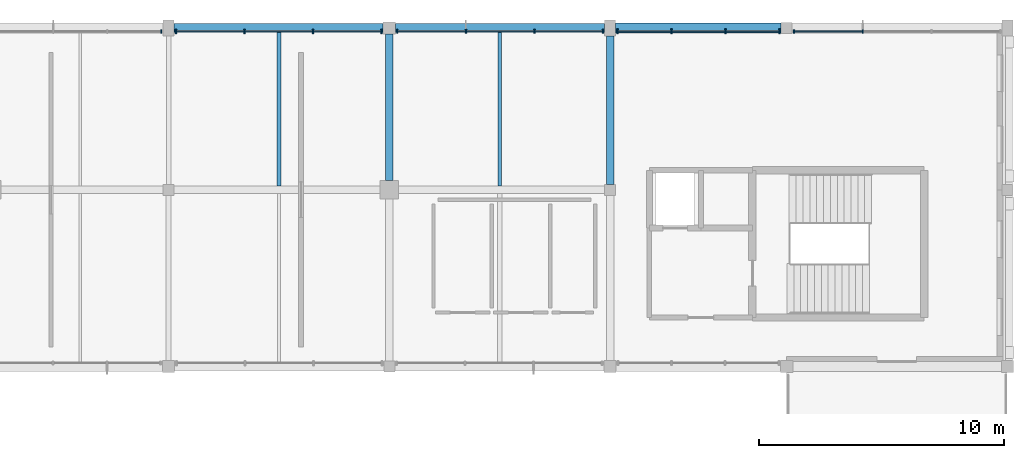
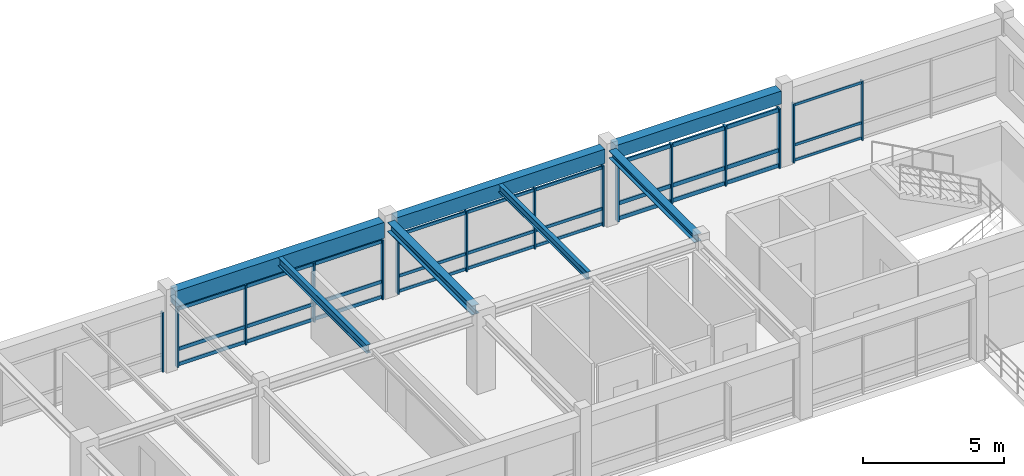
# One storey, part 27 of 74: 45 members, 7 beams, 5 elements without a shape of their own.
"""IFC4 building model written with IfcOpenShell, lengths in metres."""

from ifc_helpers import new_model, si_unit, direction, frame, origin, origin_2d, place, context, subcontext, project, spatial, rectangle, i_section, extrude, material, material_profile, profile_set, type_object, element, aggregate, save


model = new_model("IFC4")

# Units and contexts
model_context = context("Model", 3, precision=1e-05, world=origin(), true_north=direction((0.0, 1.0)))
body_context = subcontext(model_context, "Body", "Model", "MODEL_VIEW")
ifc_project = project(units=[si_unit("LENGTHUNIT", "METRE"), si_unit("AREAUNIT", "SQUARE_METRE"), si_unit("VOLUMEUNIT", "CUBIC_METRE"), si_unit("PLANEANGLEUNIT", "RADIAN"), si_unit("MASSUNIT", "GRAM", prefix="KILO")], contexts=[model_context])

# Site, building, storey
site_placement = place(None, origin())
site = spatial("IfcSite", under=ifc_project, at=site_placement, CompositionType="ELEMENT")
building_placement = place(site_placement, origin())
building = spatial("IfcBuilding", under=site, at=building_placement, Name="Clarverna Civic Hall", CompositionType="ELEMENT")
storey_placement = place(building_placement, frame((0.0, 0.0, 13.199951171875)))
storey = spatial("IfcBuildingStorey", under=building, at=storey_placement, Name="L03", CompositionType="ELEMENT", Elevation=13.199951171875)

# Beams
ifc_material_1 = material(Name="Concrete C35/45", Category="concrete")
ifc_material_profile_1 = material_profile(ifc_material_1, rectangle(XDim=0.3798828125, YDim=0.679931640625, at=origin_2d()), Name="RC 380x680")
ifc_profile_set_1 = profile_set([ifc_material_profile_1], Name="Concrete C35/45")
beam_type_1 = type_object("IfcBeamType", Name="B-SP2", PredefinedType="SPANDREL", material=ifc_profile_set_1)
beam_1_placement = place(storey_placement, frame((32.625, 116.0, 2.9599609375), z_axis=(1.0, 0.0, 0.0), x_axis=(0.0, 1.0, 0.0)))
element("IfcBeam", 1, at=beam_1_placement, inside=storey, type_object=beam_type_1, Name="B-SP2-120", PredefinedType="SPANDREL", context=body_context, shape_type="SweptSolid", body=[
    extrude(rectangle(XDim=0.3798828125, YDim=0.679931640625, at=origin_2d()), origin(), (0.0, 0.0, 1.0), 8.52490234375),
])
ifc_material_profile_2 = material_profile(ifc_material_1, rectangle(XDim=0.360107421875, YDim=0.6201171875, at=origin_2d()), Name="RC 360x620")
ifc_profile_set_2 = profile_set([ifc_material_profile_2], Name="Concrete C35/45")
beam_type_2 = type_object("IfcBeamType", Name="B-SP3", PredefinedType="SPANDREL", material=ifc_profile_set_2)
beam_2_placement = place(storey_placement, frame((41.64990234375, 116.0, 2.989990234375), z_axis=(1.0, 0.0, 0.0), x_axis=(0.0, 1.0, 0.0)))
element("IfcBeam", 2, at=beam_2_placement, inside=storey, type_object=beam_type_2, Name="B-SP3-117", PredefinedType="SPANDREL", context=body_context, shape_type="SweptSolid", body=[
    extrude(rectangle(XDim=0.360107421875, YDim=0.6201171875, at=origin_2d()), origin(), (0.0, 0.0, 1.0), 8.525146484375),
])
ifc_material_profile_3 = material_profile(ifc_material_1, rectangle(XDim=0.39990234375, YDim=0.56005859375, at=origin_2d()), Name="RC 400x560")
ifc_profile_set_3 = profile_set([ifc_material_profile_3], Name="Concrete C35/45")
beam_type_3 = type_object("IfcBeamType", Name="B-SP4", PredefinedType="SPANDREL", material=ifc_profile_set_3)
beam_3_placement = place(storey_placement, frame((50.625, 116.0, 3.02001953125), z_axis=(1.0, 0.0, 0.0), x_axis=(0.0, 1.0, 0.0)))
element("IfcBeam", 3, at=beam_3_placement, inside=storey, type_object=beam_type_3, Name="B-SP4-117", PredefinedType="SPANDREL", context=body_context, shape_type="SweptSolid", body=[
    extrude(rectangle(XDim=0.39990234375, YDim=0.56005859375, at=origin_2d()), origin(), (0.0, 0.0, 1.0), 6.75),
])
ifc_material_2 = material(Name="Steel S355", Category="steel")
ifc_material_profile_4 = material_profile(ifc_material_2, i_section(OverallWidth=0.300048828125, OverallDepth=0.39990234375, WebThickness=0.013427734375, FlangeThickness=0.02392578125, FilletRadius=0.027099609375, at=origin_2d()), Name="HEB 400")
ifc_profile_set_4 = profile_set([ifc_material_profile_4], Name="Steel S355")
beam_type_4 = type_object("IfcBeamType", Name="B-ST4", PredefinedType="BEAM", material=ifc_profile_set_4)
beam_4_placement = place(storey_placement, frame((41.39990234375, 109.77490234375, 3.10009765625), z_axis=(0.0, 1.0, 0.0), x_axis=(-1.0, 0.0, 0.0)))
element("IfcBeam", 4, at=beam_4_placement, inside=storey, type_object=beam_type_4, Name="B-ST4-013", PredefinedType="BEAM", context=body_context, shape_type="SweptSolid", body=[
    extrude(i_section(OverallWidth=0.300048828125, OverallDepth=0.39990234375, WebThickness=0.013427734375, FlangeThickness=0.02392578125, FilletRadius=0.027099609375, at=origin_2d()), origin(), (0.0, 0.0, 1.0), 5.97509765625),
])
ifc_material_profile_5 = material_profile(ifc_material_2, i_section(OverallWidth=0.300048828125, OverallDepth=0.330078125, WebThickness=0.009521484375, FlangeThickness=0.0166015625, FilletRadius=0.027099609375, at=origin_2d()), Name="HEA 340")
ifc_profile_set_5 = profile_set([ifc_material_profile_5], Name="Steel S355")
beam_type_5 = type_object("IfcBeamType", Name="B-ST8", PredefinedType="BEAM", material=ifc_profile_set_5)
beam_5_placement = place(storey_placement, frame((50.39990234375, 109.625, 3.135009765625), z_axis=(0.0, 1.0, 0.0), x_axis=(-1.0, 0.0, 0.0)))
element("IfcBeam", 5, at=beam_5_placement, inside=storey, type_object=beam_type_5, Name="B-ST8-087", PredefinedType="BEAM", context=body_context, shape_type="SweptSolid", body=[
    extrude(i_section(OverallWidth=0.300048828125, OverallDepth=0.330078125, WebThickness=0.009521484375, FlangeThickness=0.0166015625, FilletRadius=0.027099609375, at=origin_2d()), origin(), (0.0, 0.0, 1.0), 6.050048828125),
])

# Curtain wall, members
ifc_material_3 = material(Name="Anodised Bronze Architectural Aluminium", Category="aluminium")
curtain_wall_type = type_object("IfcCurtainWallType", Name="CW-05", PredefinedType="USERDEFINED", material=ifc_material_3)
curtain_wall_1_placement = place(storey_placement, origin())
curtain_wall_1 = element("IfcCurtainWall", 6, at=curtain_wall_1_placement, inside=storey, type_object=curtain_wall_type, Name="CW-05-005", ObjectType="UNITISED CURTAIN WALL", PredefinedType="USERDEFINED")
ifc_material_profile_6 = material_profile(ifc_material_3, rectangle(XDim=0.06005859375, YDim=0.179931640625, at=origin_2d()), Name="BRONZE 60x180")
ifc_profile_set_6 = profile_set([ifc_material_profile_6], Name="Anodised Bronze Architectural Aluminium")
member_type_1 = type_object("IfcMemberType", Name="CWM-01", PredefinedType="MULLION", material=ifc_profile_set_6)
member_1_placement = place(storey_placement, frame((32.697998046875, 115.860107421875, 0.0), z_axis=(0.0, 0.0, 1.0), x_axis=(1.0, 0.0, 0.0)))
member_1 = element("IfcMember", 7, at=member_1_placement, type_object=member_type_1, Name="CWM-01-132", PredefinedType="MULLION", context=body_context, shape_type="SweptSolid", body=[
    extrude(rectangle(XDim=0.06005859375, YDim=0.179931640625, at=origin_2d()), origin(), (0.0, 0.0, 1.0), 2.580078125),
])
member_2_placement = place(storey_placement, frame((35.490966796875, 115.860107421875, 0.0), z_axis=(0.0, 0.0, 1.0), x_axis=(1.0, 0.0, 0.0)))
member_2 = element("IfcMember", 8, at=member_2_placement, type_object=member_type_1, Name="CWM-01-133", PredefinedType="MULLION", context=body_context, shape_type="SweptSolid", body=[
    extrude(rectangle(XDim=0.06005859375, YDim=0.179931640625, at=origin_2d()), origin(), (0.0, 0.0, 1.0), 2.580078125),
])
member_3_placement = place(storey_placement, frame((38.283935546875, 115.860107421875, 0.0), z_axis=(0.0, 0.0, 1.0), x_axis=(1.0, 0.0, 0.0)))
member_3 = element("IfcMember", 9, at=member_3_placement, type_object=member_type_1, Name="CWM-01-134", PredefinedType="MULLION", context=body_context, shape_type="SweptSolid", body=[
    extrude(rectangle(XDim=0.06005859375, YDim=0.179931640625, at=origin_2d()), origin(), (0.0, 0.0, 1.0), 2.580078125),
])
member_4_placement = place(storey_placement, frame((41.076904296875, 115.860107421875, 0.0), z_axis=(0.0, 0.0, 1.0), x_axis=(1.0, 0.0, 0.0)))
member_4 = element("IfcMember", 10, at=member_4_placement, type_object=member_type_1, Name="CWM-01-135", PredefinedType="MULLION", context=body_context, shape_type="SweptSolid", body=[
    extrude(rectangle(XDim=0.06005859375, YDim=0.179931640625, at=origin_2d()), origin(), (0.0, 0.0, 1.0), 2.580078125),
])

curtain_wall_2_placement = place(storey_placement, origin())
curtain_wall_2 = element("IfcCurtainWall", 11, at=curtain_wall_2_placement, inside=storey, type_object=curtain_wall_type, Name="CW-05-006", ObjectType="UNITISED CURTAIN WALL", PredefinedType="USERDEFINED")
ifc_material_profile_7 = material_profile(ifc_material_3, rectangle(XDim=0.06005859375, YDim=0.159912109375, at=origin_2d()), Name="BRONZE 60x160")
ifc_profile_set_7 = profile_set([ifc_material_profile_7], Name="Anodised Bronze Architectural Aluminium")
member_type_2 = type_object("IfcMemberType", Name="CWM-02", PredefinedType="MULLION", material=ifc_profile_set_7)
member_5_placement = place(storey_placement, frame((41.722900390625, 115.860107421875, 0.0), z_axis=(0.0, 0.0, 1.0), x_axis=(1.0, 0.0, 0.0)))
member_5 = element("IfcMember", 12, at=member_5_placement, type_object=member_type_2, Name="CWM-02-172", PredefinedType="MULLION", context=body_context, shape_type="SweptSolid", body=[
    extrude(rectangle(XDim=0.06005859375, YDim=0.159912109375, at=origin_2d()), origin(), (0.0, 0.0, 1.0), 2.6201171875),
])
member_6_placement = place(storey_placement, frame((44.51611328125, 115.860107421875, 0.0), z_axis=(0.0, 0.0, 1.0), x_axis=(1.0, 0.0, 0.0)))
member_6 = element("IfcMember", 13, at=member_6_placement, type_object=member_type_2, Name="CWM-02-173", PredefinedType="MULLION", context=body_context, shape_type="SweptSolid", body=[
    extrude(rectangle(XDim=0.06005859375, YDim=0.159912109375, at=origin_2d()), origin(), (0.0, 0.0, 1.0), 2.6201171875),
])
member_7_placement = place(storey_placement, frame((47.30908203125, 115.860107421875, 0.0), z_axis=(0.0, 0.0, 1.0), x_axis=(1.0, 0.0, 0.0)))
member_7 = element("IfcMember", 14, at=member_7_placement, type_object=member_type_2, Name="CWM-02-174", PredefinedType="MULLION", context=body_context, shape_type="SweptSolid", body=[
    extrude(rectangle(XDim=0.06005859375, YDim=0.159912109375, at=origin_2d()), origin(), (0.0, 0.0, 1.0), 2.6201171875),
])
member_8_placement = place(storey_placement, frame((50.10205078125, 115.860107421875, 0.0), z_axis=(0.0, 0.0, 1.0), x_axis=(1.0, 0.0, 0.0)))
member_8 = element("IfcMember", 15, at=member_8_placement, type_object=member_type_2, Name="CWM-02-175", PredefinedType="MULLION", context=body_context, shape_type="SweptSolid", body=[
    extrude(rectangle(XDim=0.06005859375, YDim=0.159912109375, at=origin_2d()), origin(), (0.0, 0.0, 1.0), 2.6201171875),
])

curtain_wall_3_placement = place(storey_placement, origin())
curtain_wall_3 = element("IfcCurtainWall", 16, at=curtain_wall_3_placement, inside=storey, type_object=curtain_wall_type, Name="CW-05-007", ObjectType="UNITISED CURTAIN WALL", PredefinedType="USERDEFINED")
ifc_material_profile_8 = material_profile(ifc_material_3, rectangle(XDim=0.06494140625, YDim=0.199951171875, at=origin_2d()), Name="BRONZE 65x200")
ifc_profile_set_8 = profile_set([ifc_material_profile_8], Name="Anodised Bronze Architectural Aluminium")
member_type_3 = type_object("IfcMemberType", Name="CWM-03", PredefinedType="MULLION", material=ifc_profile_set_8)
member_9_placement = place(storey_placement, frame((50.697998046875, 115.860107421875, 0.0), z_axis=(0.0, 0.0, 1.0), x_axis=(1.0, 0.0, 0.0)))
member_9 = element("IfcMember", 17, at=member_9_placement, type_object=member_type_3, Name="CWM-03-135", PredefinedType="MULLION", context=body_context, shape_type="SweptSolid", body=[
    extrude(rectangle(XDim=0.06494140625, YDim=0.199951171875, at=origin_2d()), origin(), (0.0, 0.0, 1.0), 2.580078125),
])
member_10_placement = place(storey_placement, frame((52.8994140625, 115.860107421875, 0.0), z_axis=(0.0, 0.0, 1.0), x_axis=(1.0, 0.0, 0.0)))
member_10 = element("IfcMember", 18, at=member_10_placement, type_object=member_type_3, Name="CWM-03-136", PredefinedType="MULLION", context=body_context, shape_type="SweptSolid", body=[
    extrude(rectangle(XDim=0.06494140625, YDim=0.199951171875, at=origin_2d()), origin(), (0.0, 0.0, 1.0), 2.580078125),
])
member_11_placement = place(storey_placement, frame((55.1005859375, 115.860107421875, 0.0), z_axis=(0.0, 0.0, 1.0), x_axis=(1.0, 0.0, 0.0)))
member_11 = element("IfcMember", 19, at=member_11_placement, type_object=member_type_3, Name="CWM-03-137", PredefinedType="MULLION", context=body_context, shape_type="SweptSolid", body=[
    extrude(rectangle(XDim=0.06494140625, YDim=0.199951171875, at=origin_2d()), origin(), (0.0, 0.0, 1.0), 2.580078125),
])
member_12_placement = place(storey_placement, frame((57.302001953125, 115.860107421875, 0.0), z_axis=(0.0, 0.0, 1.0), x_axis=(1.0, 0.0, 0.0)))
member_12 = element("IfcMember", 20, at=member_12_placement, type_object=member_type_3, Name="CWM-03-138", PredefinedType="MULLION", context=body_context, shape_type="SweptSolid", body=[
    extrude(rectangle(XDim=0.06494140625, YDim=0.199951171875, at=origin_2d()), origin(), (0.0, 0.0, 1.0), 2.580078125),
])

# Curtain wall, member
curtain_wall_4_placement = place(storey_placement, origin())
curtain_wall_4 = element("IfcCurtainWall", 21, at=curtain_wall_4_placement, inside=storey, type_object=curtain_wall_type, Name="CW-05-004", ObjectType="UNITISED CURTAIN WALL", PredefinedType="USERDEFINED")
ifc_material_profile_9 = material_profile(ifc_material_3, rectangle(XDim=0.054931640625, YDim=0.139892578125, at=origin_2d()), Name="BRONZE 55x140")
ifc_profile_set_9 = profile_set([ifc_material_profile_9], Name="Anodised Bronze Architectural Aluminium")
member_type_4 = type_object("IfcMemberType", Name="CWM-04", PredefinedType="MULLION", material=ifc_profile_set_9)
member_13_placement = place(storey_placement, frame((32.10205078125, 115.860107421875, 0.0), z_axis=(0.0, 0.0, 1.0), x_axis=(1.0, 0.0, 0.0)))
member_13 = element("IfcMember", 22, at=member_13_placement, type_object=member_type_4, Name="CWM-04-175", PredefinedType="MULLION", context=body_context, shape_type="SweptSolid", body=[
    extrude(rectangle(XDim=0.054931640625, YDim=0.139892578125, at=origin_2d()), origin(), (0.0, 0.0, 1.0), 2.580078125),
])
aggregate(curtain_wall_4, [member_13])

# Curtain wall, members
curtain_wall_5_placement = place(storey_placement, origin())
curtain_wall_5 = element("IfcCurtainWall", 23, at=curtain_wall_5_placement, inside=storey, type_object=curtain_wall_type, Name="CW-05-008", ObjectType="UNITISED CURTAIN WALL", PredefinedType="USERDEFINED")
member_14_placement = place(storey_placement, frame((57.89794921875, 115.860107421875, 0.0), z_axis=(0.0, 0.0, 1.0), x_axis=(1.0, 0.0, 0.0)))
member_14 = element("IfcMember", 24, at=member_14_placement, type_object=member_type_4, Name="CWM-04-176", PredefinedType="MULLION", context=body_context, shape_type="SweptSolid", body=[
    extrude(rectangle(XDim=0.054931640625, YDim=0.139892578125, at=origin_2d()), origin(), (0.0, 0.0, 1.0), 2.580078125),
])
member_15_placement = place(storey_placement, frame((60.69921875, 115.860107421875, 0.0), z_axis=(0.0, 0.0, 1.0), x_axis=(1.0, 0.0, 0.0)))
member_15 = element("IfcMember", 25, at=member_15_placement, type_object=member_type_4, Name="CWM-04-177", PredefinedType="MULLION", context=body_context, shape_type="SweptSolid", body=[
    extrude(rectangle(XDim=0.054931640625, YDim=0.139892578125, at=origin_2d()), origin(), (0.0, 0.0, 1.0), 2.580078125),
])

# Member
ifc_material_profile_10 = material_profile(ifc_material_3, rectangle(XDim=0.06005859375, YDim=0.14990234375, at=origin_2d()), Name="BRONZE 60x150")
ifc_profile_set_10 = profile_set([ifc_material_profile_10], Name="Anodised Bronze Architectural Aluminium")
member_type_5 = type_object("IfcMemberType", Name="CWT-01", PredefinedType="USERDEFINED", material=ifc_profile_set_10)
member_16_placement = place(storey_placement, frame((32.712890625, 115.860107421875, 0.094970703125), z_axis=(1.0, 0.0, 0.0), x_axis=(0.0, 1.0, 0.0)))
member_16 = element("IfcMember", 26, at=member_16_placement, type_object=member_type_5, Name="CWT-01-280", ObjectType="TRANSOM", PredefinedType="USERDEFINED", context=body_context, shape_type="SweptSolid", body=[
    extrude(rectangle(XDim=0.06005859375, YDim=0.14990234375, at=origin_2d()), origin(), (0.0, 0.0, 1.0), 2.76318359375),
])

member_17_placement = place(storey_placement, frame((32.712890625, 115.860107421875, 0.75), z_axis=(1.0, 0.0, 0.0), x_axis=(0.0, 1.0, 0.0)))
member_17 = element("IfcMember", 27, at=member_17_placement, type_object=member_type_5, Name="CWT-01-281", ObjectType="TRANSOM", PredefinedType="USERDEFINED", context=body_context, shape_type="SweptSolid", body=[
    extrude(rectangle(XDim=0.06005859375, YDim=0.14990234375, at=origin_2d()), origin(), (0.0, 0.0, 1.0), 2.76318359375),
])

member_18_placement = place(storey_placement, frame((32.712890625, 115.860107421875, 2.485107421875), z_axis=(1.0, 0.0, 0.0), x_axis=(0.0, 1.0, 0.0)))
member_18 = element("IfcMember", 28, at=member_18_placement, type_object=member_type_5, Name="CWT-01-282", ObjectType="TRANSOM", PredefinedType="USERDEFINED", context=body_context, shape_type="SweptSolid", body=[
    extrude(rectangle(XDim=0.06005859375, YDim=0.14990234375, at=origin_2d()), origin(), (0.0, 0.0, 1.0), 2.76318359375),
])

member_19_placement = place(storey_placement, frame((35.506103515625, 115.860107421875, 0.094970703125), z_axis=(1.0, 0.0, 0.0), x_axis=(0.0, 1.0, 0.0)))
member_19 = element("IfcMember", 29, at=member_19_placement, type_object=member_type_5, Name="CWT-01-283", ObjectType="TRANSOM", PredefinedType="USERDEFINED", context=body_context, shape_type="SweptSolid", body=[
    extrude(rectangle(XDim=0.06005859375, YDim=0.14990234375, at=origin_2d()), origin(), (0.0, 0.0, 1.0), 2.762939453125),
])

member_20_placement = place(storey_placement, frame((35.506103515625, 115.860107421875, 0.75), z_axis=(1.0, 0.0, 0.0), x_axis=(0.0, 1.0, 0.0)))
member_20 = element("IfcMember", 30, at=member_20_placement, type_object=member_type_5, Name="CWT-01-284", ObjectType="TRANSOM", PredefinedType="USERDEFINED", context=body_context, shape_type="SweptSolid", body=[
    extrude(rectangle(XDim=0.06005859375, YDim=0.14990234375, at=origin_2d()), origin(), (0.0, 0.0, 1.0), 2.762939453125),
])

member_21_placement = place(storey_placement, frame((35.506103515625, 115.860107421875, 2.485107421875), z_axis=(1.0, 0.0, 0.0), x_axis=(0.0, 1.0, 0.0)))
member_21 = element("IfcMember", 31, at=member_21_placement, type_object=member_type_5, Name="CWT-01-285", ObjectType="TRANSOM", PredefinedType="USERDEFINED", context=body_context, shape_type="SweptSolid", body=[
    extrude(rectangle(XDim=0.06005859375, YDim=0.14990234375, at=origin_2d()), origin(), (0.0, 0.0, 1.0), 2.762939453125),
])

member_22_placement = place(storey_placement, frame((38.299072265625, 115.860107421875, 0.094970703125), z_axis=(1.0, 0.0, 0.0), x_axis=(0.0, 1.0, 0.0)))
member_22 = element("IfcMember", 32, at=member_22_placement, type_object=member_type_5, Name="CWT-01-286", ObjectType="TRANSOM", PredefinedType="USERDEFINED", context=body_context, shape_type="SweptSolid", body=[
    extrude(rectangle(XDim=0.06005859375, YDim=0.14990234375, at=origin_2d()), origin(), (0.0, 0.0, 1.0), 2.762939453125),
])

member_23_placement = place(storey_placement, frame((38.299072265625, 115.860107421875, 0.75), z_axis=(1.0, 0.0, 0.0), x_axis=(0.0, 1.0, 0.0)))
member_23 = element("IfcMember", 33, at=member_23_placement, type_object=member_type_5, Name="CWT-01-287", ObjectType="TRANSOM", PredefinedType="USERDEFINED", context=body_context, shape_type="SweptSolid", body=[
    extrude(rectangle(XDim=0.06005859375, YDim=0.14990234375, at=origin_2d()), origin(), (0.0, 0.0, 1.0), 2.762939453125),
])

member_24_placement = place(storey_placement, frame((38.299072265625, 115.860107421875, 2.485107421875), z_axis=(1.0, 0.0, 0.0), x_axis=(0.0, 1.0, 0.0)))
member_24 = element("IfcMember", 34, at=member_24_placement, type_object=member_type_5, Name="CWT-01-288", ObjectType="TRANSOM", PredefinedType="USERDEFINED", context=body_context, shape_type="SweptSolid", body=[
    extrude(rectangle(XDim=0.06005859375, YDim=0.14990234375, at=origin_2d()), origin(), (0.0, 0.0, 1.0), 2.762939453125),
])

aggregate(curtain_wall_1, [member_1, member_2, member_3, member_4, member_16, member_17, member_18, member_19, member_20, member_21, member_22, member_23, member_24])

ifc_material_profile_11 = material_profile(ifc_material_3, rectangle(XDim=0.06005859375, YDim=0.1298828125, at=origin_2d()), Name="BRONZE 60x130")
ifc_profile_set_11 = profile_set([ifc_material_profile_11], Name="Anodised Bronze Architectural Aluminium")
member_type_6 = type_object("IfcMemberType", Name="CWT-02", PredefinedType="USERDEFINED", material=ifc_profile_set_11)
member_25_placement = place(storey_placement, frame((41.738037109375, 115.860107421875, 0.094970703125), z_axis=(1.0, 0.0, 0.0), x_axis=(0.0, 1.0, 0.0)))
member_25 = element("IfcMember", 35, at=member_25_placement, type_object=member_type_6, Name="CWT-02-361", ObjectType="TRANSOM", PredefinedType="USERDEFINED", context=body_context, shape_type="SweptSolid", body=[
    extrude(rectangle(XDim=0.06005859375, YDim=0.1298828125, at=origin_2d()), origin(), (0.0, 0.0, 1.0), 2.762939453125),
])

member_26_placement = place(storey_placement, frame((41.738037109375, 115.860107421875, 0.75), z_axis=(1.0, 0.0, 0.0), x_axis=(0.0, 1.0, 0.0)))
member_26 = element("IfcMember", 36, at=member_26_placement, type_object=member_type_6, Name="CWT-02-362", ObjectType="TRANSOM", PredefinedType="USERDEFINED", context=body_context, shape_type="SweptSolid", body=[
    extrude(rectangle(XDim=0.06005859375, YDim=0.1298828125, at=origin_2d()), origin(), (0.0, 0.0, 1.0), 2.762939453125),
])

member_27_placement = place(storey_placement, frame((41.738037109375, 115.860107421875, 2.525146484375), z_axis=(1.0, 0.0, 0.0), x_axis=(0.0, 1.0, 0.0)))
member_27 = element("IfcMember", 37, at=member_27_placement, type_object=member_type_6, Name="CWT-02-363", ObjectType="TRANSOM", PredefinedType="USERDEFINED", context=body_context, shape_type="SweptSolid", body=[
    extrude(rectangle(XDim=0.06005859375, YDim=0.1298828125, at=origin_2d()), origin(), (0.0, 0.0, 1.0), 2.762939453125),
])

member_28_placement = place(storey_placement, frame((44.531005859375, 115.860107421875, 0.094970703125), z_axis=(1.0, 0.0, 0.0), x_axis=(0.0, 1.0, 0.0)))
member_28 = element("IfcMember", 38, at=member_28_placement, type_object=member_type_6, Name="CWT-02-364", ObjectType="TRANSOM", PredefinedType="USERDEFINED", context=body_context, shape_type="SweptSolid", body=[
    extrude(rectangle(XDim=0.06005859375, YDim=0.1298828125, at=origin_2d()), origin(), (0.0, 0.0, 1.0), 2.762939453125),
])

member_29_placement = place(storey_placement, frame((44.531005859375, 115.860107421875, 0.75), z_axis=(1.0, 0.0, 0.0), x_axis=(0.0, 1.0, 0.0)))
member_29 = element("IfcMember", 39, at=member_29_placement, type_object=member_type_6, Name="CWT-02-365", ObjectType="TRANSOM", PredefinedType="USERDEFINED", context=body_context, shape_type="SweptSolid", body=[
    extrude(rectangle(XDim=0.06005859375, YDim=0.1298828125, at=origin_2d()), origin(), (0.0, 0.0, 1.0), 2.762939453125),
])

member_30_placement = place(storey_placement, frame((44.531005859375, 115.860107421875, 2.525146484375), z_axis=(1.0, 0.0, 0.0), x_axis=(0.0, 1.0, 0.0)))
member_30 = element("IfcMember", 40, at=member_30_placement, type_object=member_type_6, Name="CWT-02-366", ObjectType="TRANSOM", PredefinedType="USERDEFINED", context=body_context, shape_type="SweptSolid", body=[
    extrude(rectangle(XDim=0.06005859375, YDim=0.1298828125, at=origin_2d()), origin(), (0.0, 0.0, 1.0), 2.762939453125),
])

member_31_placement = place(storey_placement, frame((47.323974609375, 115.860107421875, 0.094970703125), z_axis=(1.0, 0.0, 0.0), x_axis=(0.0, 1.0, 0.0)))
member_31 = element("IfcMember", 41, at=member_31_placement, type_object=member_type_6, Name="CWT-02-367", ObjectType="TRANSOM", PredefinedType="USERDEFINED", context=body_context, shape_type="SweptSolid", body=[
    extrude(rectangle(XDim=0.06005859375, YDim=0.1298828125, at=origin_2d()), origin(), (0.0, 0.0, 1.0), 2.762939453125),
])

member_32_placement = place(storey_placement, frame((47.323974609375, 115.860107421875, 0.75), z_axis=(1.0, 0.0, 0.0), x_axis=(0.0, 1.0, 0.0)))
member_32 = element("IfcMember", 42, at=member_32_placement, type_object=member_type_6, Name="CWT-02-368", ObjectType="TRANSOM", PredefinedType="USERDEFINED", context=body_context, shape_type="SweptSolid", body=[
    extrude(rectangle(XDim=0.06005859375, YDim=0.1298828125, at=origin_2d()), origin(), (0.0, 0.0, 1.0), 2.762939453125),
])

member_33_placement = place(storey_placement, frame((47.323974609375, 115.860107421875, 2.525146484375), z_axis=(1.0, 0.0, 0.0), x_axis=(0.0, 1.0, 0.0)))
member_33 = element("IfcMember", 43, at=member_33_placement, type_object=member_type_6, Name="CWT-02-369", ObjectType="TRANSOM", PredefinedType="USERDEFINED", context=body_context, shape_type="SweptSolid", body=[
    extrude(rectangle(XDim=0.06005859375, YDim=0.1298828125, at=origin_2d()), origin(), (0.0, 0.0, 1.0), 2.762939453125),
])

aggregate(curtain_wall_2, [member_5, member_6, member_7, member_8, member_25, member_26, member_27, member_28, member_29, member_30, member_31, member_32, member_33])

ifc_material_profile_12 = material_profile(ifc_material_3, rectangle(XDim=0.06494140625, YDim=0.169921875, at=origin_2d()), Name="BRONZE 65x170")
ifc_profile_set_12 = profile_set([ifc_material_profile_12], Name="Anodised Bronze Architectural Aluminium")
member_type_7 = type_object("IfcMemberType", Name="CWT-03", PredefinedType="USERDEFINED", material=ifc_profile_set_12)
member_34_placement = place(storey_placement, frame((50.712890625, 115.860107421875, 0.094970703125), z_axis=(1.0, 0.0, 0.0), x_axis=(0.0, 1.0, 0.0)))
member_34 = element("IfcMember", 44, at=member_34_placement, type_object=member_type_7, Name="CWT-03-286", ObjectType="TRANSOM", PredefinedType="USERDEFINED", context=body_context, shape_type="SweptSolid", body=[
    extrude(rectangle(XDim=0.06494140625, YDim=0.169921875, at=origin_2d()), origin(), (0.0, 0.0, 1.0), 2.17138671875),
])

member_35_placement = place(storey_placement, frame((50.712890625, 115.860107421875, 0.75), z_axis=(1.0, 0.0, 0.0), x_axis=(0.0, 1.0, 0.0)))
member_35 = element("IfcMember", 45, at=member_35_placement, type_object=member_type_7, Name="CWT-03-287", ObjectType="TRANSOM", PredefinedType="USERDEFINED", context=body_context, shape_type="SweptSolid", body=[
    extrude(rectangle(XDim=0.06494140625, YDim=0.169921875, at=origin_2d()), origin(), (0.0, 0.0, 1.0), 2.17138671875),
])

member_36_placement = place(storey_placement, frame((50.712890625, 115.860107421875, 2.485107421875), z_axis=(1.0, 0.0, 0.0), x_axis=(0.0, 1.0, 0.0)))
member_36 = element("IfcMember", 46, at=member_36_placement, type_object=member_type_7, Name="CWT-03-288", ObjectType="TRANSOM", PredefinedType="USERDEFINED", context=body_context, shape_type="SweptSolid", body=[
    extrude(rectangle(XDim=0.06494140625, YDim=0.169921875, at=origin_2d()), origin(), (0.0, 0.0, 1.0), 2.17138671875),
])

member_37_placement = place(storey_placement, frame((52.914306640625, 115.860107421875, 0.094970703125), z_axis=(1.0, 0.0, 0.0), x_axis=(0.0, 1.0, 0.0)))
member_37 = element("IfcMember", 47, at=member_37_placement, type_object=member_type_7, Name="CWT-03-289", ObjectType="TRANSOM", PredefinedType="USERDEFINED", context=body_context, shape_type="SweptSolid", body=[
    extrude(rectangle(XDim=0.06494140625, YDim=0.169921875, at=origin_2d()), origin(), (0.0, 0.0, 1.0), 2.17138671875),
])

member_38_placement = place(storey_placement, frame((52.914306640625, 115.860107421875, 0.75), z_axis=(1.0, 0.0, 0.0), x_axis=(0.0, 1.0, 0.0)))
member_38 = element("IfcMember", 48, at=member_38_placement, type_object=member_type_7, Name="CWT-03-290", ObjectType="TRANSOM", PredefinedType="USERDEFINED", context=body_context, shape_type="SweptSolid", body=[
    extrude(rectangle(XDim=0.06494140625, YDim=0.169921875, at=origin_2d()), origin(), (0.0, 0.0, 1.0), 2.17138671875),
])

member_39_placement = place(storey_placement, frame((52.914306640625, 115.860107421875, 2.485107421875), z_axis=(1.0, 0.0, 0.0), x_axis=(0.0, 1.0, 0.0)))
member_39 = element("IfcMember", 49, at=member_39_placement, type_object=member_type_7, Name="CWT-03-291", ObjectType="TRANSOM", PredefinedType="USERDEFINED", context=body_context, shape_type="SweptSolid", body=[
    extrude(rectangle(XDim=0.06494140625, YDim=0.169921875, at=origin_2d()), origin(), (0.0, 0.0, 1.0), 2.17138671875),
])

member_40_placement = place(storey_placement, frame((55.11572265625, 115.860107421875, 0.094970703125), z_axis=(1.0, 0.0, 0.0), x_axis=(0.0, 1.0, 0.0)))
member_40 = element("IfcMember", 50, at=member_40_placement, type_object=member_type_7, Name="CWT-03-292", ObjectType="TRANSOM", PredefinedType="USERDEFINED", context=body_context, shape_type="SweptSolid", body=[
    extrude(rectangle(XDim=0.06494140625, YDim=0.169921875, at=origin_2d()), origin(), (0.0, 0.0, 1.0), 2.17138671875),
])

member_41_placement = place(storey_placement, frame((55.11572265625, 115.860107421875, 0.75), z_axis=(1.0, 0.0, 0.0), x_axis=(0.0, 1.0, 0.0)))
member_41 = element("IfcMember", 51, at=member_41_placement, type_object=member_type_7, Name="CWT-03-293", ObjectType="TRANSOM", PredefinedType="USERDEFINED", context=body_context, shape_type="SweptSolid", body=[
    extrude(rectangle(XDim=0.06494140625, YDim=0.169921875, at=origin_2d()), origin(), (0.0, 0.0, 1.0), 2.17138671875),
])

member_42_placement = place(storey_placement, frame((55.11572265625, 115.860107421875, 2.485107421875), z_axis=(1.0, 0.0, 0.0), x_axis=(0.0, 1.0, 0.0)))
member_42 = element("IfcMember", 52, at=member_42_placement, type_object=member_type_7, Name="CWT-03-294", ObjectType="TRANSOM", PredefinedType="USERDEFINED", context=body_context, shape_type="SweptSolid", body=[
    extrude(rectangle(XDim=0.06494140625, YDim=0.169921875, at=origin_2d()), origin(), (0.0, 0.0, 1.0), 2.17138671875),
])

aggregate(curtain_wall_3, [member_9, member_10, member_11, member_12, member_34, member_35, member_36, member_37, member_38, member_39, member_40, member_41, member_42])

ifc_material_profile_13 = material_profile(ifc_material_3, rectangle(XDim=0.054931640625, YDim=0.110107421875, at=origin_2d()), Name="BRONZE 55x110")
ifc_profile_set_13 = profile_set([ifc_material_profile_13], Name="Anodised Bronze Architectural Aluminium")
member_type_8 = type_object("IfcMemberType", Name="CWT-04", PredefinedType="USERDEFINED", material=ifc_profile_set_13)
member_43_placement = place(storey_placement, frame((57.9130859375, 115.860107421875, 0.094970703125), z_axis=(1.0, 0.0, 0.0), x_axis=(0.0, 1.0, 0.0)))
member_43 = element("IfcMember", 53, at=member_43_placement, type_object=member_type_8, Name="CWT-04-370", ObjectType="TRANSOM", PredefinedType="USERDEFINED", context=body_context, shape_type="SweptSolid", body=[
    extrude(rectangle(XDim=0.054931640625, YDim=0.110107421875, at=origin_2d()), origin(), (0.0, 0.0, 1.0), 2.771240234375),
])

member_44_placement = place(storey_placement, frame((57.9130859375, 115.860107421875, 0.75), z_axis=(1.0, 0.0, 0.0), x_axis=(0.0, 1.0, 0.0)))
member_44 = element("IfcMember", 54, at=member_44_placement, type_object=member_type_8, Name="CWT-04-371", ObjectType="TRANSOM", PredefinedType="USERDEFINED", context=body_context, shape_type="SweptSolid", body=[
    extrude(rectangle(XDim=0.054931640625, YDim=0.110107421875, at=origin_2d()), origin(), (0.0, 0.0, 1.0), 2.771240234375),
])

member_45_placement = place(storey_placement, frame((57.9130859375, 115.860107421875, 2.485107421875), z_axis=(1.0, 0.0, 0.0), x_axis=(0.0, 1.0, 0.0)))
member_45 = element("IfcMember", 55, at=member_45_placement, type_object=member_type_8, Name="CWT-04-372", ObjectType="TRANSOM", PredefinedType="USERDEFINED", context=body_context, shape_type="SweptSolid", body=[
    extrude(rectangle(XDim=0.054931640625, YDim=0.110107421875, at=origin_2d()), origin(), (0.0, 0.0, 1.0), 2.771240234375),
])

aggregate(curtain_wall_5, [member_14, member_15, member_43, member_44, member_45])

# Beams
ifc_material_profile_14 = material_profile(ifc_material_2, i_section(OverallWidth=0.169921875, OverallDepth=0.360107421875, WebThickness=0.008056640625, FlangeThickness=0.0126953125, FilletRadius=0.01806640625, at=origin_2d()), Name="IPE 360")
ifc_profile_set_14 = profile_set([ifc_material_profile_14], Name="Steel S355")
beam_type_6 = type_object("IfcBeamType", Name="J-ST1", PredefinedType="JOIST", material=ifc_profile_set_14)
beam_6_placement = place(storey_placement, frame((36.89990234375, 109.550048828125, 3.1201171875), z_axis=(0.0, 1.0, 0.0), x_axis=(-1.0, 0.0, 0.0)))
element("IfcBeam", 56, at=beam_6_placement, inside=storey, type_object=beam_type_6, Name="J-ST1-066", PredefinedType="JOIST", context=body_context, shape_type="SweptSolid", body=[
    extrude(i_section(OverallWidth=0.169921875, OverallDepth=0.360107421875, WebThickness=0.008056640625, FlangeThickness=0.0126953125, FilletRadius=0.01806640625, at=origin_2d()), origin(), (0.0, 0.0, 1.0), 6.260009765625),
])
ifc_material_profile_15 = material_profile(ifc_material_2, i_section(OverallWidth=0.159912109375, OverallDepth=0.330078125, WebThickness=0.007568359375, FlangeThickness=0.011474609375, FilletRadius=0.01806640625, at=origin_2d()), Name="IPE 330")
ifc_profile_set_15 = profile_set([ifc_material_profile_15], Name="Steel S355")
beam_type_7 = type_object("IfcBeamType", Name="J-ST2", PredefinedType="JOIST", material=ifc_profile_set_15)
beam_7_placement = place(storey_placement, frame((45.89990234375, 109.550048828125, 3.135009765625), z_axis=(0.0, 1.0, 0.0), x_axis=(-1.0, 0.0, 0.0)))
element("IfcBeam", 57, at=beam_7_placement, inside=storey, type_object=beam_type_7, Name="J-ST2-067", PredefinedType="JOIST", context=body_context, shape_type="SweptSolid", body=[
    extrude(i_section(OverallWidth=0.159912109375, OverallDepth=0.330078125, WebThickness=0.007568359375, FlangeThickness=0.011474609375, FilletRadius=0.01806640625, at=origin_2d()), origin(), (0.0, 0.0, 1.0), 6.27001953125),
])

save(model, "model.ifc")
